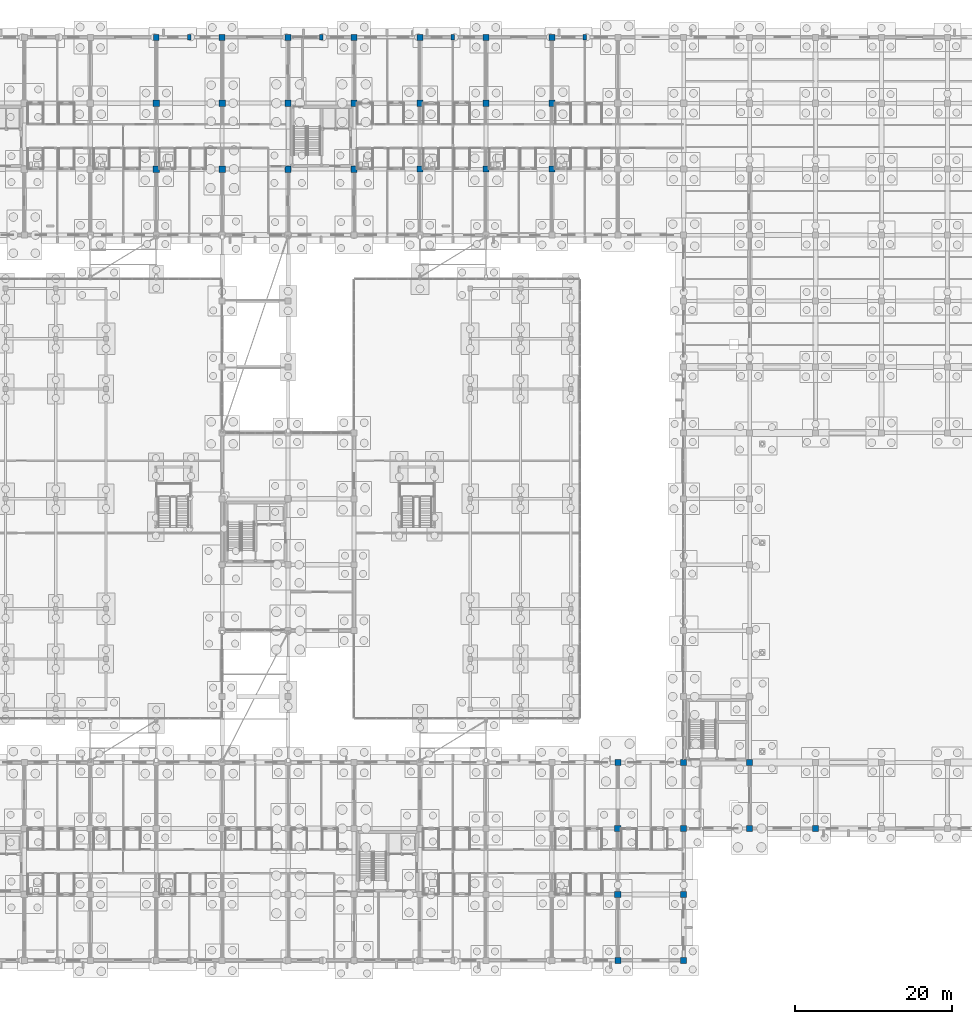
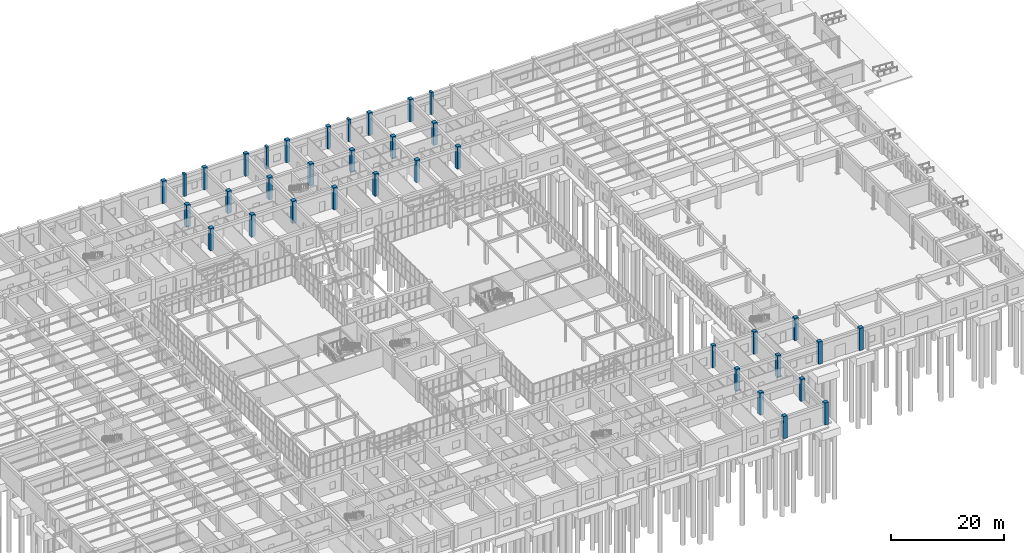
# One storey, part 40 of 192: 36 columns.
"""IFC4 building model written with IfcOpenShell, lengths in metres."""

from ifc_helpers import new_model, si_unit, direction, frame, origin, origin_2d, place, context, subcontext, project, spatial, rectangle, extrude, material, material_profile, profile_set, type_object, element, save


model = new_model("IFC4")

# Units and contexts
model_context = context("Model", 3, precision=1e-05, world=origin(), true_north=direction((0.0, 1.0)))
body_context = subcontext(model_context, "Body", "Model", "MODEL_VIEW")
ifc_project = project(units=[si_unit("LENGTHUNIT", "METRE"), si_unit("AREAUNIT", "SQUARE_METRE"), si_unit("VOLUMEUNIT", "CUBIC_METRE"), si_unit("PLANEANGLEUNIT", "RADIAN"), si_unit("MASSUNIT", "GRAM", prefix="KILO")], contexts=[model_context])

# Site, building, storey
site_placement = place(None, origin())
site = spatial("IfcSite", under=ifc_project, at=site_placement, CompositionType="ELEMENT")
building_placement = place(site_placement, origin())
building = spatial("IfcBuilding", under=site, at=building_placement, Name="Trelvath General Hospital", CompositionType="ELEMENT")
storey_placement = place(building_placement, origin())
storey = spatial("IfcBuildingStorey", under=building, at=storey_placement, Name="L00", CompositionType="ELEMENT", Elevation=0.0)

# Columns
ifc_material_1 = material(Name="Concrete C40/50", Category="concrete")
ifc_material_profile_1 = material_profile(ifc_material_1, rectangle(XDim=0.760009765625, YDim=0.760009765625, at=origin_2d()), Name="RC760x760")
ifc_profile_set_1 = profile_set([ifc_material_profile_1], Name="Concrete C40/50")
column_type_1 = type_object("IfcColumnType", Name="Column RC760", PredefinedType="COLUMN", material=ifc_profile_set_1)
for number, where, z_axis, x_axis, name in (
    (1, (67.199951171875, 117.60009765625, 0.0), (0.0, 0.0, 1.0), (1.0, 0.0, 0.0), "Column C-9O L00"),
    (2, (75.60009765625, 117.60009765625, 0.0), (0.0, 0.0, 1.0), (1.0, 0.0, 0.0), "Column C-10O L00"),
    (3, (84.0, 117.60009765625, 0.0), (0.0, 0.0, 1.0), (1.0, 0.0, 0.0), "Column C-11O L00"),
    (4, (92.39990234375, 117.60009765625, 0.0), (0.0, 0.0, 1.0), (1.0, 0.0, 0.0), "Column C-12O L00"),
    (5, (100.800048828125, 117.60009765625, 0.0), (0.0, 0.0, 1.0), (1.0, 0.0, 0.0), "Column C-13O L00"),
    (6, (109.199951171875, 117.60009765625, 0.0), (0.0, 0.0, 1.0), (1.0, 0.0, 0.0), "Column C-14O L00"),
    (7, (117.60009765625, 117.60009765625, 0.0), (0.0, 0.0, 1.0), (1.0, 0.0, 0.0), "Column C-15O L00"),
    (8, (126.0, 0.0, 0.0), (0.0, 0.0, 1.0), (1.0, 0.0, 0.0), "Column C-16A L00"),
    (9, (126.0, 25.199951171875, 0.0), (0.0, 0.0, 1.0), (1.0, 0.0, 0.0), "Column C-16D L00"),
    (10, (134.39990234375, 0.0, 0.0), (0.0, 0.0, 1.0), (1.0, 0.0, 0.0), "Column C-17A L00"),
    (11, (134.39990234375, 8.39990234375, 0.0), (0.0, 0.0, 1.0), (1.0, 0.0, 0.0), "Column C-17B L00"),
    (12, (134.39990234375, 16.800048828125, 0.0), (0.0, 0.0, 1.0), (1.0, 0.0, 0.0), "Column C-17C L00"),
    (13, (134.39990234375, 25.199951171875, 0.0), (0.0, 0.0, 1.0), (1.0, 0.0, 0.0), "Column C-17D L00"),
    (14, (142.800048828125, 16.800048828125, 0.0), (0.0, 0.0, 1.0), (1.0, 0.0, 0.0), "Column C-18C L00"),
    (15, (151.199951171875, 16.800048828125, 0.0), (0.0, 0.0, 1.0), (1.0, 0.0, 0.0), "Column C-19C L00"),
):
    element("IfcColumn", number, at=place(storey_placement, frame(where, z_axis=z_axis, x_axis=x_axis)), inside=storey, type_object=column_type_1, Name=name, PredefinedType="COLUMN", context=body_context, shape_type="SweptSolid", body=[
        extrude(rectangle(XDim=0.760009765625, YDim=0.760009765625, at=origin_2d()), origin(), (0.0, 0.0, 1.0), 4.800048828125),
    ])
ifc_material_2 = material(Name="Concrete C40/50", Category="concrete")
ifc_material_profile_2 = material_profile(ifc_material_2, rectangle(XDim=0.780029296875, YDim=0.780029296875, at=origin_2d()), Name="RC780x780")
ifc_profile_set_2 = profile_set([ifc_material_profile_2], Name="Concrete C40/50")
column_type_2 = type_object("IfcColumnType", Name="Column RC780", PredefinedType="COLUMN", material=ifc_profile_set_2)
for number, where, z_axis, x_axis, name in (
    (16, (100.800048828125, 100.800048828125, 0.0), (0.0, 0.0, 1.0), (1.0, 0.0, 0.0), "Column C-13M L00"),
    (17, (100.800048828125, 109.199951171875, 0.0), (0.0, 0.0, 1.0), (1.0, 0.0, 0.0), "Column C-13N L00"),
    (18, (109.199951171875, 100.800048828125, 0.0), (0.0, 0.0, 1.0), (1.0, 0.0, 0.0), "Column C-14M L00"),
    (19, (109.199951171875, 109.199951171875, 0.0), (0.0, 0.0, 1.0), (1.0, 0.0, 0.0), "Column C-14N L00"),
    (20, (117.60009765625, 100.800048828125, 0.0), (0.0, 0.0, 1.0), (1.0, 0.0, 0.0), "Column C-15M L00"),
    (21, (117.60009765625, 109.199951171875, 0.0), (0.0, 0.0, 1.0), (1.0, 0.0, 0.0), "Column C-15N L00"),
    (22, (126.0, 8.39990234375, 0.0), (0.0, 0.0, 1.0), (1.0, 0.0, 0.0), "Column C-16B L00"),
    (23, (126.0, 16.800048828125, 0.0), (0.0, 0.0, 1.0), (1.0, 0.0, 0.0), "Column C-16C L00"),
    (24, (142.800048828125, 25.199951171875, 0.0), (0.0, 0.0, 1.0), (1.0, 0.0, 0.0), "Column C-18D L00"),
):
    element("IfcColumn", number, at=place(storey_placement, frame(where, z_axis=z_axis, x_axis=x_axis)), inside=storey, type_object=column_type_2, Name=name, PredefinedType="COLUMN", context=body_context, shape_type="SweptSolid", body=[
        extrude(rectangle(XDim=0.780029296875, YDim=0.780029296875, at=origin_2d()), origin(), (0.0, 0.0, 1.0), 4.800048828125),
    ])
ifc_material_3 = material(Name="Concrete C40/50", Category="concrete")
ifc_material_profile_3 = material_profile(ifc_material_3, rectangle(XDim=0.800048828125, YDim=0.800048828125, at=origin_2d()), Name="RC800x800")
ifc_profile_set_3 = profile_set([ifc_material_profile_3], Name="Concrete C40/50")
column_type_3 = type_object("IfcColumnType", Name="Column RC800", PredefinedType="COLUMN", material=ifc_profile_set_3)
for number, where, z_axis, x_axis, name in (
    (25, (67.199951171875, 100.800048828125, 0.0), (0.0, 0.0, 1.0), (1.0, 0.0, 0.0), "Column C-9M L00"),
    (26, (67.199951171875, 109.199951171875, 0.0), (0.0, 0.0, 1.0), (1.0, 0.0, 0.0), "Column C-9N L00"),
    (27, (75.60009765625, 100.800048828125, 0.0), (0.0, 0.0, 1.0), (1.0, 0.0, 0.0), "Column C-10M L00"),
    (28, (75.60009765625, 109.199951171875, 0.0), (0.0, 0.0, 1.0), (1.0, 0.0, 0.0), "Column C-10N L00"),
    (29, (84.0, 100.800048828125, 0.0), (0.0, 0.0, 1.0), (1.0, 0.0, 0.0), "Column C-11M L00"),
    (30, (84.0, 109.199951171875, 0.0), (0.0, 0.0, 1.0), (1.0, 0.0, 0.0), "Column C-11N L00"),
    (31, (92.39990234375, 100.800048828125, 0.0), (0.0, 0.0, 1.0), (1.0, 0.0, 0.0), "Column C-12M L00"),
    (32, (92.39990234375, 109.199951171875, 0.0), (0.0, 0.0, 1.0), (1.0, 0.0, 0.0), "Column C-12N L00"),
):
    element("IfcColumn", number, at=place(storey_placement, frame(where, z_axis=z_axis, x_axis=x_axis)), inside=storey, type_object=column_type_3, Name=name, PredefinedType="COLUMN", context=body_context, shape_type="SweptSolid", body=[
        extrude(rectangle(XDim=0.800048828125, YDim=0.800048828125, at=origin_2d()), origin(), (0.0, 0.0, 1.0), 4.800048828125),
    ])
ifc_material_4 = material(Name="Concrete C40/50", Category="concrete")
ifc_material_profile_4 = material_profile(ifc_material_4, rectangle(XDim=0.449951171875, YDim=0.75, at=origin_2d()), Name="RC450x750")
ifc_profile_set_4 = profile_set([ifc_material_profile_4], Name="Concrete C40/50")
column_type_4 = type_object("IfcColumnType", Name="Pilaster RC450x750", PredefinedType="PILASTER", material=ifc_profile_set_4)
for number, where, z_axis, x_axis, name in (
    (33, (71.39990234375, 117.60009765625, 0.0), (0.0, 0.0, 1.0), (1.0, 0.0, 0.0), "Facade Pilaster PL-N08 L00"),
    (34, (88.199951171875, 117.60009765625, 0.0), (0.0, 0.0, 1.0), (1.0, 0.0, 0.0), "Facade Pilaster PL-N10 L00"),
    (35, (105.0, 117.60009765625, 0.0), (0.0, 0.0, 1.0), (1.0, 0.0, 0.0), "Facade Pilaster PL-N12 L00"),
    (36, (121.800048828125, 117.60009765625, 0.0), (0.0, 0.0, 1.0), (1.0, 0.0, 0.0), "Facade Pilaster PL-N14 L00"),
):
    element("IfcColumn", number, at=place(storey_placement, frame(where, z_axis=z_axis, x_axis=x_axis)), inside=storey, type_object=column_type_4, Name=name, PredefinedType="PILASTER", context=body_context, shape_type="SweptSolid", body=[
        extrude(rectangle(XDim=0.449951171875, YDim=0.75, at=origin_2d()), origin(), (0.0, 0.0, 1.0), 4.800048828125),
    ])

save(model, "model.ifc")
